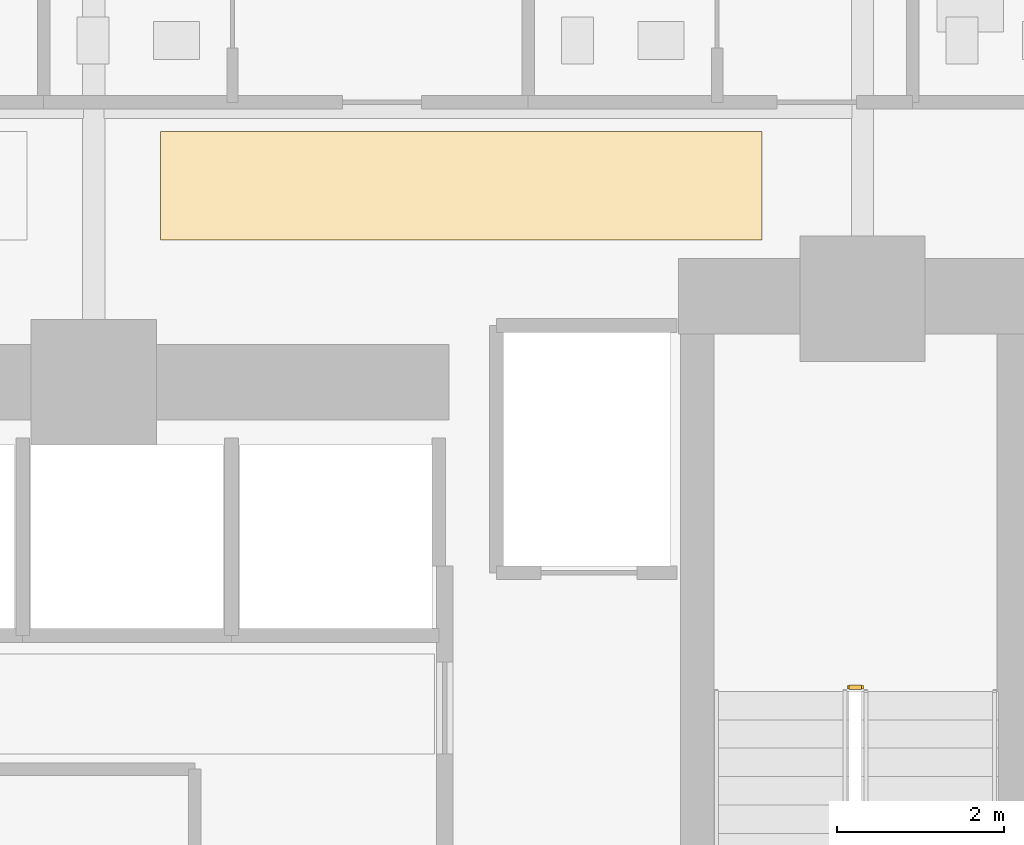
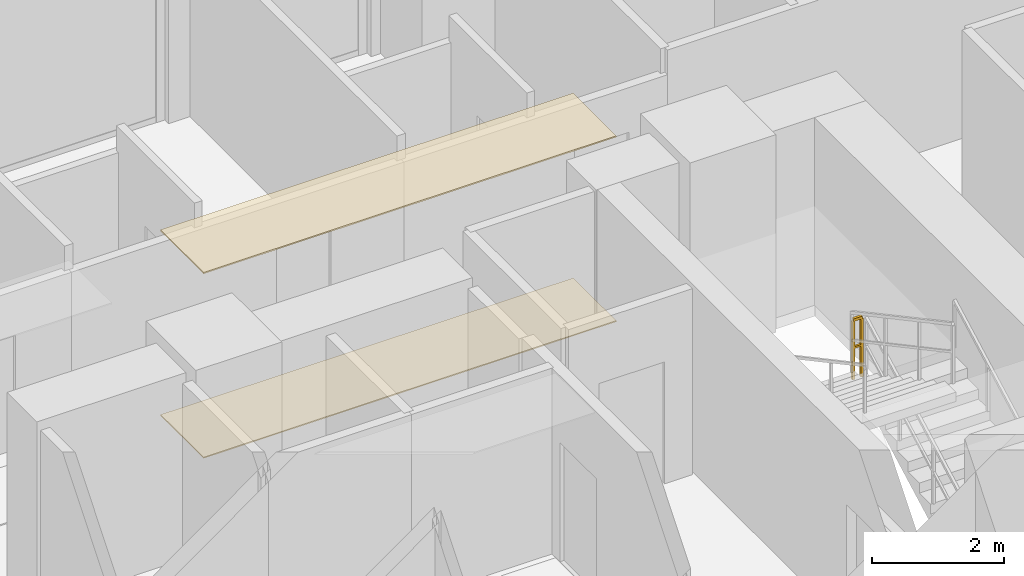
# One storey, part 27 of 28: 2 coverings, 1 railing.
"""IFC4 building model written with IfcOpenShell, lengths in metres."""

from ifc_helpers import new_model, si_unit, direction, frame, origin, origin_2d, place, context, subcontext, project, spatial, polyline, rectangle, outline, extrude, material, layer, layer_set, type_object, element, save


model = new_model("IFC4")

# Units and contexts
model_context = context("Model", 3, precision=1e-05, world=origin(), true_north=direction((0.0, 1.0)))
body_context = subcontext(model_context, "Body", "Model", "MODEL_VIEW")
ifc_project = project(units=[si_unit("LENGTHUNIT", "METRE"), si_unit("AREAUNIT", "SQUARE_METRE"), si_unit("VOLUMEUNIT", "CUBIC_METRE"), si_unit("PLANEANGLEUNIT", "RADIAN"), si_unit("MASSUNIT", "GRAM", prefix="KILO")], contexts=[model_context])

# Site, building, storey
site_placement = place(None, origin())
site = spatial("IfcSite", under=ifc_project, at=site_placement, CompositionType="ELEMENT")
building_placement = place(site_placement, origin())
building = spatial("IfcBuilding", under=site, at=building_placement, Name="Zuhayl Quay Hotel", CompositionType="ELEMENT")
storey_placement = place(building_placement, frame((0.0, 0.0, 34.89990234375)))
storey = spatial("IfcBuildingStorey", under=building, at=storey_placement, Name="L07", CompositionType="ELEMENT", Elevation=34.89990234375)

# Coverings
ifc_material_1 = material(Name="Acoustic Mineral-Fibre Gypsum Board")
ifc_layer_1 = layer(ifc_material_1, 0.02490234375, Name="Acoustic Mineral-Fibre Gypsum Board")
ifc_layer_set_1 = layer_set([ifc_layer_1], Name="Acoustic Mineral-Fibre Gypsum Board")
covering_type_1 = type_object("IfcCoveringType", Name="CV_CEIL_ACOUSTIC", PredefinedType="CEILING", material=ifc_layer_set_1)
covering_1_placement = place(storey_placement, frame((0.0, 0.0, 3.405029296875)))
element("IfcCovering", 1, at=covering_1_placement, inside=storey, type_object=covering_type_1, Name="L07 Guest Corridor Acoustic Ceiling CE", PredefinedType="CEILING", context=body_context, shape_type="SweptSolid", body=[
    extrude(outline(polyline([(5.39990234375, 15.050048828125), (12.60009765625, 15.050048828125), (12.60009765625, 16.35009765625), (5.39990234375, 16.35009765625), (5.39990234375, 15.050048828125)])), origin(), (0.0, 0.0, 1.0), 0.025146484375),
])
ifc_material_2 = material(Name="Polished Limestone Terrazzo", Category="masonry")
ifc_layer_2 = layer(ifc_material_2, 0.02001953125, Name="Polished Limestone Terrazzo", Category="masonry")
ifc_layer_set_2 = layer_set([ifc_layer_2], Name="Polished Limestone Terrazzo")
covering_type_2 = type_object("IfcCoveringType", Name="CV_FLOOR_TERRAZZO", PredefinedType="FLOORING", material=ifc_layer_set_2)
covering_2_placement = place(storey_placement, origin())
element("IfcCovering", 2, at=covering_2_placement, inside=storey, type_object=covering_type_2, Name="L07 Guest Corridor Terrazzo Runner CE", PredefinedType="FLOORING", context=body_context, shape_type="SweptSolid", body=[
    extrude(outline(polyline([(5.39990234375, 15.050048828125), (12.60009765625, 15.050048828125), (12.60009765625, 16.35009765625), (5.39990234375, 16.35009765625), (5.39990234375, 15.050048828125)])), origin(), (0.0, 0.0, 1.0), 0.02001953125),
])

# Railing
ifc_material_3 = material(Name="Steel ASTM A992 Grade 50", Category="steel")
railing_type = type_object("IfcRailingType", Name="RL_GUARD_1100", PredefinedType="GUARDRAIL", material=ifc_material_3)
railing_placement = place(storey_placement, frame((13.7900390625, 9.699951171875, 1.8251953125)))
element("IfcRailing", 3, at=railing_placement, inside=storey, type_object=railing_type, Name="L07 ST2 stair guard 2", PredefinedType="GUARDRAIL", context=body_context, shape_type="SweptSolid", body=[
    extrude(rectangle(XDim=0.048095703125, YDim=0.048095703125, at=origin_2d()), frame((0.0, 0.0, 1.09619140625), z_axis=(-1.0, 0.0, 0.0), x_axis=(0.0, -1.0, 0.0)), (0.0, 0.0, 1.0), 0.150146484375),
    extrude(rectangle(XDim=0.0361328125, YDim=0.0361328125, at=origin_2d()), frame((0.0, 0.0, 0.58251953125), z_axis=(-1.0, 0.0, 0.0), x_axis=(0.0, -1.0, 0.0)), (0.0, 0.0, 1.0), 0.150146484375),
    extrude(rectangle(XDim=0.0419921875, YDim=0.0419921875, at=origin_2d()), origin(), (0.0, 0.0, 1.0), 1.072021484375),
    extrude(rectangle(XDim=0.0419921875, YDim=0.0419921875, at=origin_2d()), frame((-0.150146484375, 0.0, 0.0)), (0.0, 0.0, 1.0), 1.072021484375),
])

save(model, "model.ifc")
